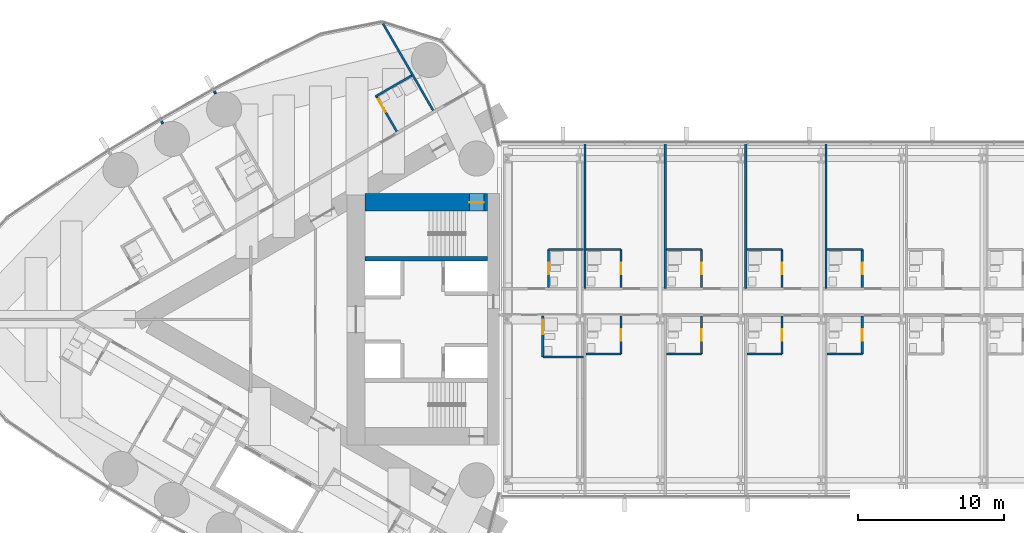
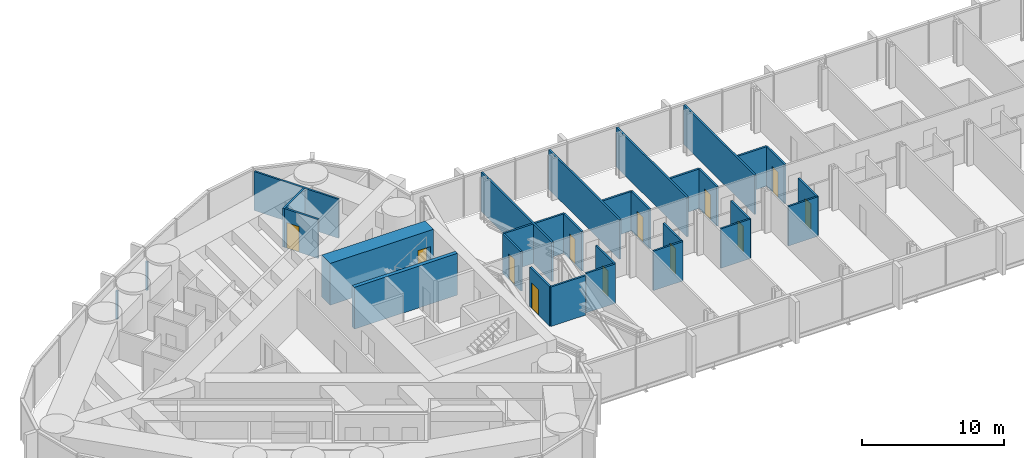
# One storey, part 16 of 23: 31 walls, 12 doors, 12 openings.
"""IFC4 building model written with IfcOpenShell, lengths in metres."""

import ifcopenshell
import ifcopenshell.guid

model = None  # the IFC model being written
_history = None  # IfcOwnerHistory: only IFC2X3 demands one
_inside = {}  # id of a spatial element -> (the spatial element, [elements in it])
_under = {}  # id of a project, library or spatial element -> (it, [spatial elements below it])
_declared = {}  # id of a project -> (the project, [libraries it declares])
_typed = {}  # id of a type object -> (the type object, [elements of that type])
_made_of = {}  # id of a material, layer set ... -> (it, [elements and type objects made of it])


def new_model(schema):
    """Start an empty IFC model of exactly this schema.

    Asked for "IFC4X3", IfcOpenShell would pick the latest addendum, in which some entities
    have other attributes; the version numbers below select the first issue.
    IFC2X3 requires an IfcOwnerHistory on every rooted entity: one is made here for all.
    """
    global model, _history
    if schema == "IFC4X3":
        model = ifcopenshell.file(schema_version=(4, 3, 0, 0))
    else:
        model = ifcopenshell.file(schema=schema)
    _inside.clear()
    _under.clear()
    _declared.clear()
    _typed.clear()
    _made_of.clear()
    _history = None
    if model.schema == "IFC2X3":
        org = make("IfcOrganization", Name="unknown")
        user = make(
            "IfcPersonAndOrganization",
            ThePerson=make("IfcPerson", FamilyName="unknown"),
            TheOrganization=org,
        )
        app = make(
            "IfcApplication",
            ApplicationDeveloper=org,
            Version="unknown",
            ApplicationFullName="unknown",
            ApplicationIdentifier="unknown",
        )
        _history = make(
            "IfcOwnerHistory",
            OwningUser=user,
            OwningApplication=app,
            ChangeAction="ADDED",
            CreationDate=0,
        )
    return model


def make(cls, **values):
    """One entity of the class cls with the attributes given. An attribute that is None is left unset."""
    return model.create_entity(
        cls, **{name: value for name, value in values.items() if value is not None}
    )


def rooted(cls, **values):
    """An entity with a GlobalId (a new one), such as an element, a storey or a relation."""
    return make(cls, GlobalId=ifcopenshell.guid.new(), OwnerHistory=_history, **values)


def si_unit(unit_type, name, prefix=None):
    """IfcSIUnit, for example si_unit("LENGTHUNIT", "METRE", prefix="MILLI")."""
    return make("IfcSIUnit", UnitType=unit_type, Prefix=prefix, Name=name)


def assignment(units):
    """IfcUnitAssignment: the units of a project."""
    return None if units is None else make("IfcUnitAssignment", Units=units)


def point(xyz):
    """IfcCartesianPoint."""
    return None if xyz is None else make("IfcCartesianPoint", Coordinates=xyz)


def direction(xyz):
    """IfcDirection."""
    return None if xyz is None else make("IfcDirection", DirectionRatios=xyz)


def frame(location, z_axis=None, x_axis=None):
    """IfcAxis2Placement3D, a coordinate frame: its origin and axes. An axis left out is left unset."""
    return make(
        "IfcAxis2Placement3D",
        Location=point(location),
        Axis=direction(z_axis),
        RefDirection=direction(x_axis),
    )


def frame_2d(location, x_axis=None):
    """IfcAxis2Placement2D, a coordinate frame in the plane: its origin and x axis."""
    return make(
        "IfcAxis2Placement2D", Location=point(location), RefDirection=direction(x_axis)
    )


def origin():
    """The frame at (0, 0, 0) with its axes left unset."""
    return frame((0.0, 0.0, 0.0))


def place(relative_to, where):
    """IfcLocalPlacement: puts the frame where relative to a parent placement (None: the world)."""
    return make(
        "IfcLocalPlacement", PlacementRelTo=relative_to, RelativePlacement=where
    )


def context(
    kind, dimensions, precision=None, world=None, true_north=None, identifier=None
):
    """IfcGeometricRepresentationContext, for example the 3D "Model" context."""
    return make(
        "IfcGeometricRepresentationContext",
        ContextIdentifier=identifier,
        ContextType=kind,
        CoordinateSpaceDimension=dimensions,
        Precision=precision,
        WorldCoordinateSystem=world,
        TrueNorth=true_north,
    )


def subcontext(parent, identifier, kind, view, scale=None):
    """IfcGeometricRepresentationSubContext, for example "Body" below "Model"."""
    return make(
        "IfcGeometricRepresentationSubContext",
        ContextIdentifier=identifier,
        ContextType=kind,
        ParentContext=parent,
        TargetScale=scale,
        TargetView=view,
    )


def project(units=None, contexts=None):
    """IfcProject with its units and contexts."""
    return rooted(
        "IfcProject",
        Name="project",
        RepresentationContexts=contexts,
        UnitsInContext=assignment(units),
    )


def spatial(cls, under=None, at=None, **own):
    """A site, building, storey or space (cls), placed at a placement, below another one or the project."""
    s = rooted(cls, ObjectPlacement=at, **own)
    if under is not None:
        _under.setdefault(under.id(), (under, []))[1].append(s)
    return s


def profile(cls, at=None, kind="AREA", **sizes):
    """A parametric profile (cls). Its sizes go by their IFC names, for example OverallWidth=200.0."""
    return make(cls, ProfileType=kind, Position=at, **sizes)


def rectangle(**sizes):
    """IfcRectangleProfileDef."""
    return profile("IfcRectangleProfileDef", **sizes)


def extrude(swept, where, along, depth):
    """IfcExtrudedAreaSolid: the profile swept, set in the frame where, extruded along a direction by depth."""
    return make(
        "IfcExtrudedAreaSolid",
        SweptArea=swept,
        Position=where,
        ExtrudedDirection=direction(along),
        Depth=depth,
    )


def shape(context_of_items, identifier, shape_type, items):
    """IfcShapeRepresentation: the items that make up one representation, for example the "Body"."""
    return make(
        "IfcShapeRepresentation",
        ContextOfItems=context_of_items,
        RepresentationIdentifier=identifier,
        RepresentationType=shape_type,
        Items=items,
    )


def material(Name=None, Category=None):
    """IfcMaterial."""
    return make("IfcMaterial", Name=Name, Category=Category)


def layer(
    of_material, thickness, ventilated=None, Name=None, Category=None, Priority=None
):
    """IfcMaterialLayer: one layer of a wall or slab, of a material (None: an air gap)."""
    return make(
        "IfcMaterialLayer",
        Material=of_material,
        LayerThickness=thickness,
        IsVentilated=ventilated,
        Name=Name,
        Category=Category,
        Priority=Priority,
    )


def layer_set(layers, Name=None):
    """IfcMaterialLayerSet."""
    return make("IfcMaterialLayerSet", MaterialLayers=layers, LayerSetName=Name)


def made_of(thing, what):
    """Note that an element or type object is made of a material, layer set ...; save() writes the relation."""
    if what is not None:
        _made_of.setdefault(what.id(), (what, []))[1].append(thing)
    return thing


def type_object(cls, material=None, **own):
    """A type object (cls), such as IfcWallType, which elements share."""
    return made_of(rooted(cls, **own), material)


def element(
    cls,
    number,
    at=None,
    inside=None,
    cuts=None,
    type_object=None,
    material=None,
    context=None,
    identifier="Body",
    shape_type=None,
    held_by="IfcProductDefinitionShape",
    body=None,
    shapes=None,
    **own,
):
    """One element of the class cls, such as IfcWall. Its Tag is "e" and its number.

    at: its placement. inside: the storey or other place that contains it. cuts: it is an
    opening in that element (IfcRelVoidsElement). A single representation is given by context,
    identifier, shape_type and body (its items); several are given by shapes. held_by: the class
    of the entity that holds the representations. save() writes the other relations.
    """
    e = rooted(cls, Tag="e%d" % number, ObjectPlacement=at, **own)
    if body is not None:
        shapes = [shape(context, identifier, shape_type, body)]
    if shapes is not None:
        e.Representation = make(held_by, Representations=shapes)
    if inside is not None:
        _inside.setdefault(inside.id(), (inside, []))[1].append(e)
    if cuts is not None:
        rooted(
            "IfcRelVoidsElement", RelatingBuildingElement=cuts, RelatedOpeningElement=e
        )
    if type_object is not None:
        _typed.setdefault(type_object.id(), (type_object, []))[1].append(e)
    return made_of(e, material)


def fill(opening, filler):
    """IfcRelFillsElement: the door or window that sits in an opening."""
    return rooted(
        "IfcRelFillsElement",
        RelatingOpeningElement=opening,
        RelatedBuildingElement=filler,
    )


def aggregate(whole, parts):
    """IfcRelAggregates: a whole, such as a stair, and the parts it consists of."""
    return rooted("IfcRelAggregates", RelatingObject=whole, RelatedObjects=parts)


def save(model, path):
    """Write the relations noted so far, then the file.

    IfcRelAggregates (storeys below a building ...), IfcRelContainedInSpatialStructure (elements
    in a storey), IfcRelDefinesByType, IfcRelAssociatesMaterial and IfcRelDeclares: one each for
    every whole, place, type object, material and project.
    """
    for whole, parts in _under.values():
        aggregate(whole, parts)
    for where, things in _inside.values():
        rooted(
            "IfcRelContainedInSpatialStructure",
            RelatedElements=things,
            RelatingStructure=where,
        )
    for kind, things in _typed.values():
        rooted("IfcRelDefinesByType", RelatedObjects=things, RelatingType=kind)
    for what, things in _made_of.values():
        rooted("IfcRelAssociatesMaterial", RelatedObjects=things, RelatingMaterial=what)
    for by, libraries in _declared.values():
        rooted("IfcRelDeclares", RelatingContext=by, RelatedDefinitions=libraries)
    model.write(path)


model = new_model("IFC4")

# Units and contexts
model_context = context("Model", 3, precision=1e-05, world=origin(), true_north=direction((0.0, 1.0)))
body_context = subcontext(model_context, "Body", "Model", "MODEL_VIEW")
ifc_project = project(units=[si_unit("LENGTHUNIT", "METRE"), si_unit("AREAUNIT", "SQUARE_METRE"), si_unit("VOLUMEUNIT", "CUBIC_METRE"), si_unit("PLANEANGLEUNIT", "RADIAN"), si_unit("MASSUNIT", "GRAM", prefix="KILO")], contexts=[model_context])

# Site, building, storey
site_placement = place(None, origin())
site = spatial("IfcSite", under=ifc_project, at=site_placement, CompositionType="ELEMENT")
building_placement = place(site_placement, origin())
building = spatial("IfcBuilding", under=site, at=building_placement, Name="Lancet Gate Hotel", CompositionType="ELEMENT")
storey_placement = place(building_placement, frame((0.0, 0.0, 218.89990234375)))
storey = spatial("IfcBuildingStorey", under=building, at=storey_placement, Name="L58", CompositionType="ELEMENT", Elevation=218.89990234375)

# Wall
ifc_material_1 = material(Name="Moisture resistant board partition")
ifc_layer_1 = layer(ifc_material_1, 0.14990234375)
ifc_layer_set_1 = layer_set([ifc_layer_1], Name="Bathroom wall 150")
wall_type_1 = type_object("IfcWallType", Name="Bathroom wall 150", PredefinedType="PARTITIONING", material=ifc_layer_set_1)
wall_1_placement = place(storey_placement, frame((-33.486572265625, 16.6748046875, 0.0), z_axis=(0.0, 0.0, 1.0), x_axis=(-0.866039941686, -0.499974818771, 0.0)))
element("IfcWall", 1, at=wall_1_placement, inside=storey, type_object=wall_type_1, Name="T1 bathroom wall 150 L58", PredefinedType="PARTITIONING", context=body_context, shape_type="SweptSolid", body=[
    extrude(rectangle(XDim=2.875244140625, YDim=0.14990234375, at=frame_2d((1.4375, 0.0))), origin(), (0.0, 0.0, 1.0), 3.35009765625),
])

# Wall, opening, door
wall_2_placement = place(storey_placement, frame((-34.511474609375, 12.849853515625, 0.0), z_axis=(0.0, 0.0, 1.0), x_axis=(-0.500011755427, 0.866018616679, 0.0)))
wall_2 = element("IfcWall", 2, at=wall_2_placement, inside=storey, type_object=wall_type_1, Name="T1 bathroom wall 150 L58", PredefinedType="PARTITIONING", context=body_context, shape_type="SweptSolid", body=[
    extrude(rectangle(XDim=2.80029296875, YDim=0.14990234375, at=frame_2d((1.400146484375, 0.0))), origin(), (0.0, 0.0, 1.0), 3.35009765625),
])
opening_1_placement = place(wall_2_placement, frame((1.550048828125, 0.0, 0.0)))
opening_1 = element("IfcOpeningElement", 3, at=opening_1_placement, cuts=wall_2, Name="Opening 5802-B", PredefinedType="OPENING", context=body_context, shape_type="SweptSolid", body=[
    extrude(rectangle(XDim=1.0, YDim=2.199951171875, at=frame_2d((0.5, 1.10009765625))), frame((0.0, 0.0849609375, 0.0), z_axis=(0.0, -1.0, 0.0), x_axis=(1.0, 0.0, 0.0)), (0.0, 0.0, 1.0), 0.169921875),
])
ifc_material_2 = material(Name="Timber door set", Category="wood")
door_type_1 = type_object("IfcDoorType", Name="Accessible en-suite door 1000", OperationType="SINGLE_SWING_RIGHT", PredefinedType="DOOR", material=ifc_material_2)
door_1_placement = place(opening_1_placement, origin())
door_1 = element("IfcDoor", 4, at=door_1_placement, inside=storey, type_object=door_type_1, Name="5802-B", OperationType="SINGLE_SWING_RIGHT", OverallHeight=2.199951171875, OverallWidth=1.0, PredefinedType="DOOR", context=body_context, shape_type="SweptSolid", body=[
    extrude(rectangle(XDim=1.0, YDim=2.199951171875, at=frame_2d((0.5, 1.10009765625))), frame((0.0, 0.02490234375, 0.0), z_axis=(0.0, -1.0, 0.0), x_axis=(1.0, 0.0, 0.0)), (0.0, 0.0, 1.0), 0.050048828125),
])
fill(opening_1, door_1)

# Wall
wall_3_placement = place(storey_placement, frame((-24.52490234375, -2.574951171875, 0.0), z_axis=(0.0, 0.0, 1.0), x_axis=(1.0, 0.0, 0.0)))
element("IfcWall", 5, at=wall_3_placement, inside=storey, type_object=wall_type_1, Name="Bridge block bathroom wall 150 L58", PredefinedType="PARTITIONING", context=body_context, shape_type="SweptSolid", body=[
    extrude(rectangle(XDim=2.7998046875, YDim=0.14990234375, at=frame_2d((1.39990234375, 0.0))), origin(), (0.0, 0.0, 1.0), 3.400146484375),
])

# Wall, opening, door
wall_4_placement = place(storey_placement, frame((-24.52490234375, -2.574951171875, 0.0), z_axis=(0.0, 0.0, 1.0), x_axis=(0.0, 1.0, 0.0)))
wall_4 = element("IfcWall", 6, at=wall_4_placement, inside=storey, type_object=wall_type_1, Name="Bridge block bathroom wall 150 L58", PredefinedType="PARTITIONING", context=body_context, shape_type="SweptSolid", body=[
    extrude(rectangle(XDim=2.800048828125, YDim=0.14990234375, at=frame_2d((1.39990234375, 0.0))), origin(), (0.0, 0.0, 1.0), 3.400146484375),
])
opening_2_placement = place(wall_4_placement, frame((1.550048828125, 0.0, 0.0)))
opening_2 = element("IfcOpeningElement", 7, at=opening_2_placement, cuts=wall_4, Name="Opening B5801-B", PredefinedType="OPENING", context=body_context, shape_type="SweptSolid", body=[
    extrude(rectangle(XDim=1.0, YDim=2.199951171875, at=frame_2d((0.5, 1.10009765625))), frame((0.0, 0.0849609375, 0.0), z_axis=(0.0, -1.0, 0.0), x_axis=(1.0, 0.0, 0.0)), (0.0, 0.0, 1.0), 0.169921875),
])
door_2_placement = place(opening_2_placement, origin())
door_2 = element("IfcDoor", 8, at=door_2_placement, inside=storey, type_object=door_type_1, Name="B5801-B", OperationType="SINGLE_SWING_RIGHT", OverallHeight=2.199951171875, OverallWidth=1.0, PredefinedType="DOOR", context=body_context, shape_type="SweptSolid", body=[
    extrude(rectangle(XDim=1.0, YDim=2.199951171875, at=frame_2d((0.5, 1.10009765625))), frame((0.0, 0.02490234375, 0.0), z_axis=(0.0, -1.0, 0.0), x_axis=(1.0, 0.0, 0.0)), (0.0, 0.0, 1.0), 0.050048828125),
])
fill(opening_2, door_2)

# Wall
wall_5_placement = place(storey_placement, frame((-21.574951171875, -2.375, 0.0), z_axis=(0.0, 0.0, 1.0), x_axis=(1.0, 0.0, 0.0)))
element("IfcWall", 9, at=wall_5_placement, inside=storey, type_object=wall_type_1, Name="Bridge block bathroom wall 150 L58", PredefinedType="PARTITIONING", context=body_context, shape_type="SweptSolid", body=[
    extrude(rectangle(XDim=2.39990234375, YDim=0.14990234375, at=frame_2d((1.199951171875, 0.0))), origin(), (0.0, 0.0, 1.0), 3.400146484375),
])

# Wall, opening, door
wall_6_placement = place(storey_placement, frame((-19.175048828125, -2.375, 0.0), z_axis=(0.0, 0.0, 1.0), x_axis=(0.0, 1.0, 0.0)))
wall_6 = element("IfcWall", 10, at=wall_6_placement, inside=storey, type_object=wall_type_1, Name="Bridge block bathroom wall 150 L58", PredefinedType="PARTITIONING", context=body_context, shape_type="SweptSolid", body=[
    extrude(rectangle(XDim=2.60009765625, YDim=0.14990234375, at=frame_2d((1.300048828125, 0.0))), origin(), (0.0, 0.0, 1.0), 3.400146484375),
])
opening_3_placement = place(wall_6_placement, frame((0.89990234375, 0.0, 0.0)))
opening_3 = element("IfcOpeningElement", 11, at=opening_3_placement, cuts=wall_6, Name="Opening B5802-B", PredefinedType="OPENING", context=body_context, shape_type="SweptSolid", body=[
    extrude(rectangle(XDim=0.800048828125, YDim=2.199951171875, at=frame_2d((0.39990234375, 1.10009765625))), frame((0.0, 0.0849609375, 0.0), z_axis=(0.0, -1.0, 0.0), x_axis=(1.0, 0.0, 0.0)), (0.0, 0.0, 1.0), 0.169921875),
])
ifc_material_3 = material(Name="Timber door set", Category="wood")
door_type_2 = type_object("IfcDoorType", Name="Bathroom door 800", OperationType="SINGLE_SWING_RIGHT", PredefinedType="DOOR", material=ifc_material_3)
door_3_placement = place(opening_3_placement, origin())
door_3 = element("IfcDoor", 12, at=door_3_placement, inside=storey, type_object=door_type_2, Name="B5802-B", OperationType="SINGLE_SWING_RIGHT", OverallHeight=2.199951171875, OverallWidth=0.800048828125, PredefinedType="DOOR", context=body_context, shape_type="SweptSolid", body=[
    extrude(rectangle(XDim=0.800048828125, YDim=2.199951171875, at=frame_2d((0.39990234375, 1.10009765625))), frame((0.0, 0.02490234375, 0.0), z_axis=(0.0, -1.0, 0.0), x_axis=(1.0, 0.0, 0.0)), (0.0, 0.0, 1.0), 0.050048828125),
])
fill(opening_3, door_3)

# Wall
wall_7_placement = place(storey_placement, frame((-16.074951171875, -2.375, 0.0), z_axis=(0.0, 0.0, 1.0), x_axis=(1.0, 0.0, 0.0)))
element("IfcWall", 13, at=wall_7_placement, inside=storey, type_object=wall_type_1, Name="Bridge block bathroom wall 150 L58", PredefinedType="PARTITIONING", context=body_context, shape_type="SweptSolid", body=[
    extrude(rectangle(XDim=2.39990234375, YDim=0.14990234375, at=frame_2d((1.199951171875, 0.0))), origin(), (0.0, 0.0, 1.0), 3.400146484375),
])

# Wall, opening, door
wall_8_placement = place(storey_placement, frame((-13.675048828125, -2.375, 0.0), z_axis=(0.0, 0.0, 1.0), x_axis=(0.0, 1.0, 0.0)))
wall_8 = element("IfcWall", 14, at=wall_8_placement, inside=storey, type_object=wall_type_1, Name="Bridge block bathroom wall 150 L58", PredefinedType="PARTITIONING", context=body_context, shape_type="SweptSolid", body=[
    extrude(rectangle(XDim=2.60009765625, YDim=0.14990234375, at=frame_2d((1.300048828125, 0.0))), origin(), (0.0, 0.0, 1.0), 3.400146484375),
])
opening_4_placement = place(wall_8_placement, frame((0.89990234375, 0.0, 0.0)))
opening_4 = element("IfcOpeningElement", 15, at=opening_4_placement, cuts=wall_8, Name="Opening B5803-B", PredefinedType="OPENING", context=body_context, shape_type="SweptSolid", body=[
    extrude(rectangle(XDim=0.800048828125, YDim=2.199951171875, at=frame_2d((0.39990234375, 1.10009765625))), frame((0.0, 0.0849609375, 0.0), z_axis=(0.0, -1.0, 0.0), x_axis=(1.0, 0.0, 0.0)), (0.0, 0.0, 1.0), 0.169921875),
])
door_4_placement = place(opening_4_placement, origin())
door_4 = element("IfcDoor", 16, at=door_4_placement, inside=storey, type_object=door_type_2, Name="B5803-B", OperationType="SINGLE_SWING_RIGHT", OverallHeight=2.199951171875, OverallWidth=0.800048828125, PredefinedType="DOOR", context=body_context, shape_type="SweptSolid", body=[
    extrude(rectangle(XDim=0.800048828125, YDim=2.199951171875, at=frame_2d((0.39990234375, 1.10009765625))), frame((0.0, 0.02490234375, 0.0), z_axis=(0.0, -1.0, 0.0), x_axis=(1.0, 0.0, 0.0)), (0.0, 0.0, 1.0), 0.050048828125),
])
fill(opening_4, door_4)

# Wall
wall_9_placement = place(storey_placement, frame((-10.574951171875, -2.375, 0.0), z_axis=(0.0, 0.0, 1.0), x_axis=(1.0, 0.0, 0.0)))
element("IfcWall", 17, at=wall_9_placement, inside=storey, type_object=wall_type_1, Name="Bridge block bathroom wall 150 L58", PredefinedType="PARTITIONING", context=body_context, shape_type="SweptSolid", body=[
    extrude(rectangle(XDim=2.39990234375, YDim=0.14990234375, at=frame_2d((1.199951171875, 0.0))), origin(), (0.0, 0.0, 1.0), 3.400146484375),
])

# Wall, opening, door
wall_10_placement = place(storey_placement, frame((-8.175048828125, -2.375, 0.0), z_axis=(0.0, 0.0, 1.0), x_axis=(0.0, 1.0, 0.0)))
wall_10 = element("IfcWall", 18, at=wall_10_placement, inside=storey, type_object=wall_type_1, Name="Bridge block bathroom wall 150 L58", PredefinedType="PARTITIONING", context=body_context, shape_type="SweptSolid", body=[
    extrude(rectangle(XDim=2.60009765625, YDim=0.14990234375, at=frame_2d((1.300048828125, 0.0))), origin(), (0.0, 0.0, 1.0), 3.400146484375),
])
opening_5_placement = place(wall_10_placement, frame((0.89990234375, 0.0, 0.0)))
opening_5 = element("IfcOpeningElement", 19, at=opening_5_placement, cuts=wall_10, Name="Opening B5804-B", PredefinedType="OPENING", context=body_context, shape_type="SweptSolid", body=[
    extrude(rectangle(XDim=0.800048828125, YDim=2.199951171875, at=frame_2d((0.39990234375, 1.10009765625))), frame((0.0, 0.0849609375, 0.0), z_axis=(0.0, -1.0, 0.0), x_axis=(1.0, 0.0, 0.0)), (0.0, 0.0, 1.0), 0.169921875),
])
door_5_placement = place(opening_5_placement, origin())
door_5 = element("IfcDoor", 20, at=door_5_placement, inside=storey, type_object=door_type_2, Name="B5804-B", OperationType="SINGLE_SWING_RIGHT", OverallHeight=2.199951171875, OverallWidth=0.800048828125, PredefinedType="DOOR", context=body_context, shape_type="SweptSolid", body=[
    extrude(rectangle(XDim=0.800048828125, YDim=2.199951171875, at=frame_2d((0.39990234375, 1.10009765625))), frame((0.0, 0.02490234375, 0.0), z_axis=(0.0, -1.0, 0.0), x_axis=(1.0, 0.0, 0.0)), (0.0, 0.0, 1.0), 0.050048828125),
])
fill(opening_5, door_5)

# Wall
wall_11_placement = place(storey_placement, frame((-5.074951171875, -2.375, 0.0), z_axis=(0.0, 0.0, 1.0), x_axis=(1.0, 0.0, 0.0)))
element("IfcWall", 21, at=wall_11_placement, inside=storey, type_object=wall_type_1, Name="Bridge block bathroom wall 150 L58", PredefinedType="PARTITIONING", context=body_context, shape_type="SweptSolid", body=[
    extrude(rectangle(XDim=2.39990234375, YDim=0.14990234375, at=frame_2d((1.199951171875, 0.0))), origin(), (0.0, 0.0, 1.0), 3.400146484375),
])

# Wall, opening, door
wall_12_placement = place(storey_placement, frame((-2.675048828125, -2.375, 0.0), z_axis=(0.0, 0.0, 1.0), x_axis=(0.0, 1.0, 0.0)))
wall_12 = element("IfcWall", 22, at=wall_12_placement, inside=storey, type_object=wall_type_1, Name="Bridge block bathroom wall 150 L58", PredefinedType="PARTITIONING", context=body_context, shape_type="SweptSolid", body=[
    extrude(rectangle(XDim=2.60009765625, YDim=0.14990234375, at=frame_2d((1.300048828125, 0.0))), origin(), (0.0, 0.0, 1.0), 3.400146484375),
])
opening_6_placement = place(wall_12_placement, frame((0.89990234375, 0.0, 0.0)))
opening_6 = element("IfcOpeningElement", 23, at=opening_6_placement, cuts=wall_12, Name="Opening B5805-B", PredefinedType="OPENING", context=body_context, shape_type="SweptSolid", body=[
    extrude(rectangle(XDim=0.800048828125, YDim=2.199951171875, at=frame_2d((0.39990234375, 1.10009765625))), frame((0.0, 0.0849609375, 0.0), z_axis=(0.0, -1.0, 0.0), x_axis=(1.0, 0.0, 0.0)), (0.0, 0.0, 1.0), 0.169921875),
])
door_6_placement = place(opening_6_placement, origin())
door_6 = element("IfcDoor", 24, at=door_6_placement, inside=storey, type_object=door_type_2, Name="B5805-B", OperationType="SINGLE_SWING_RIGHT", OverallHeight=2.199951171875, OverallWidth=0.800048828125, PredefinedType="DOOR", context=body_context, shape_type="SweptSolid", body=[
    extrude(rectangle(XDim=0.800048828125, YDim=2.199951171875, at=frame_2d((0.39990234375, 1.10009765625))), frame((0.0, 0.02490234375, 0.0), z_axis=(0.0, -1.0, 0.0), x_axis=(1.0, 0.0, 0.0)), (0.0, 0.0, 1.0), 0.050048828125),
])
fill(opening_6, door_6)

# Wall
wall_13_placement = place(storey_placement, frame((-24.125, 4.77490234375, 0.0), z_axis=(0.0, 0.0, 1.0), x_axis=(1.0, 0.0, 0.0)))
element("IfcWall", 25, at=wall_13_placement, inside=storey, type_object=wall_type_1, Name="Bridge block bathroom wall 150 L58", PredefinedType="PARTITIONING", context=body_context, shape_type="SweptSolid", body=[
    extrude(rectangle(XDim=2.39990234375, YDim=0.14990234375, at=frame_2d((1.199951171875, 0.0))), origin(), (0.0, 0.0, 1.0), 3.400146484375),
])

# Wall, opening, door
wall_14_placement = place(storey_placement, frame((-24.125, 2.175048828125, 0.0), z_axis=(0.0, 0.0, 1.0), x_axis=(0.0, 1.0, 0.0)))
wall_14 = element("IfcWall", 26, at=wall_14_placement, inside=storey, type_object=wall_type_1, Name="Bridge block bathroom wall 150 L58", PredefinedType="PARTITIONING", context=body_context, shape_type="SweptSolid", body=[
    extrude(rectangle(XDim=2.599853515625, YDim=0.14990234375, at=frame_2d((1.2998046875, 0.0))), origin(), (0.0, 0.0, 1.0), 3.400146484375),
])
opening_7_placement = place(wall_14_placement, frame((0.89990234375, 0.0, 0.0)))
opening_7 = element("IfcOpeningElement", 27, at=opening_7_placement, cuts=wall_14, Name="Opening B5811-B", PredefinedType="OPENING", context=body_context, shape_type="SweptSolid", body=[
    extrude(rectangle(XDim=0.800048828125, YDim=2.199951171875, at=frame_2d((0.39990234375, 1.10009765625))), frame((0.0, 0.0849609375, 0.0), z_axis=(0.0, -1.0, 0.0), x_axis=(1.0, 0.0, 0.0)), (0.0, 0.0, 1.0), 0.169921875),
])
door_7_placement = place(opening_7_placement, origin())
door_7 = element("IfcDoor", 28, at=door_7_placement, inside=storey, type_object=door_type_2, Name="B5811-B", OperationType="SINGLE_SWING_RIGHT", OverallHeight=2.199951171875, OverallWidth=0.800048828125, PredefinedType="DOOR", context=body_context, shape_type="SweptSolid", body=[
    extrude(rectangle(XDim=0.800048828125, YDim=2.199951171875, at=frame_2d((0.39990234375, 1.10009765625))), frame((0.0, 0.02490234375, 0.0), z_axis=(0.0, -1.0, 0.0), x_axis=(1.0, 0.0, 0.0)), (0.0, 0.0, 1.0), 0.050048828125),
])
fill(opening_7, door_7)

# Wall
wall_15_placement = place(storey_placement, frame((-21.574951171875, 4.77490234375, 0.0), z_axis=(0.0, 0.0, 1.0), x_axis=(1.0, 0.0, 0.0)))
element("IfcWall", 29, at=wall_15_placement, inside=storey, type_object=wall_type_1, Name="Bridge block bathroom wall 150 L58", PredefinedType="PARTITIONING", context=body_context, shape_type="SweptSolid", body=[
    extrude(rectangle(XDim=2.39990234375, YDim=0.14990234375, at=frame_2d((1.199951171875, 0.0))), origin(), (0.0, 0.0, 1.0), 3.400146484375),
])

# Wall, opening, door
wall_16_placement = place(storey_placement, frame((-19.175048828125, 2.175048828125, 0.0), z_axis=(0.0, 0.0, 1.0), x_axis=(0.0, 1.0, 0.0)))
wall_16 = element("IfcWall", 30, at=wall_16_placement, inside=storey, type_object=wall_type_1, Name="Bridge block bathroom wall 150 L58", PredefinedType="PARTITIONING", context=body_context, shape_type="SweptSolid", body=[
    extrude(rectangle(XDim=2.599853515625, YDim=0.14990234375, at=frame_2d((1.2998046875, 0.0))), origin(), (0.0, 0.0, 1.0), 3.400146484375),
])
opening_8_placement = place(wall_16_placement, frame((0.89990234375, 0.0, 0.0)))
opening_8 = element("IfcOpeningElement", 31, at=opening_8_placement, cuts=wall_16, Name="Opening B5812-B", PredefinedType="OPENING", context=body_context, shape_type="SweptSolid", body=[
    extrude(rectangle(XDim=0.800048828125, YDim=2.199951171875, at=frame_2d((0.39990234375, 1.10009765625))), frame((0.0, 0.0849609375, 0.0), z_axis=(0.0, -1.0, 0.0), x_axis=(1.0, 0.0, 0.0)), (0.0, 0.0, 1.0), 0.169921875),
])
door_8_placement = place(opening_8_placement, origin())
door_8 = element("IfcDoor", 32, at=door_8_placement, inside=storey, type_object=door_type_2, Name="B5812-B", OperationType="SINGLE_SWING_RIGHT", OverallHeight=2.199951171875, OverallWidth=0.800048828125, PredefinedType="DOOR", context=body_context, shape_type="SweptSolid", body=[
    extrude(rectangle(XDim=0.800048828125, YDim=2.199951171875, at=frame_2d((0.39990234375, 1.10009765625))), frame((0.0, 0.02490234375, 0.0), z_axis=(0.0, -1.0, 0.0), x_axis=(1.0, 0.0, 0.0)), (0.0, 0.0, 1.0), 0.050048828125),
])
fill(opening_8, door_8)

# Wall
wall_17_placement = place(storey_placement, frame((-16.074951171875, 4.77490234375, 0.0), z_axis=(0.0, 0.0, 1.0), x_axis=(1.0, 0.0, 0.0)))
element("IfcWall", 33, at=wall_17_placement, inside=storey, type_object=wall_type_1, Name="Bridge block bathroom wall 150 L58", PredefinedType="PARTITIONING", context=body_context, shape_type="SweptSolid", body=[
    extrude(rectangle(XDim=2.39990234375, YDim=0.14990234375, at=frame_2d((1.199951171875, 0.0))), origin(), (0.0, 0.0, 1.0), 3.400146484375),
])

# Wall, opening, door
wall_18_placement = place(storey_placement, frame((-13.675048828125, 2.175048828125, 0.0), z_axis=(0.0, 0.0, 1.0), x_axis=(0.0, 1.0, 0.0)))
wall_18 = element("IfcWall", 34, at=wall_18_placement, inside=storey, type_object=wall_type_1, Name="Bridge block bathroom wall 150 L58", PredefinedType="PARTITIONING", context=body_context, shape_type="SweptSolid", body=[
    extrude(rectangle(XDim=2.599853515625, YDim=0.14990234375, at=frame_2d((1.2998046875, 0.0))), origin(), (0.0, 0.0, 1.0), 3.400146484375),
])
opening_9_placement = place(wall_18_placement, frame((0.89990234375, 0.0, 0.0)))
opening_9 = element("IfcOpeningElement", 35, at=opening_9_placement, cuts=wall_18, Name="Opening B5813-B", PredefinedType="OPENING", context=body_context, shape_type="SweptSolid", body=[
    extrude(rectangle(XDim=0.800048828125, YDim=2.199951171875, at=frame_2d((0.39990234375, 1.10009765625))), frame((0.0, 0.0849609375, 0.0), z_axis=(0.0, -1.0, 0.0), x_axis=(1.0, 0.0, 0.0)), (0.0, 0.0, 1.0), 0.169921875),
])
door_9_placement = place(opening_9_placement, origin())
door_9 = element("IfcDoor", 36, at=door_9_placement, inside=storey, type_object=door_type_2, Name="B5813-B", OperationType="SINGLE_SWING_RIGHT", OverallHeight=2.199951171875, OverallWidth=0.800048828125, PredefinedType="DOOR", context=body_context, shape_type="SweptSolid", body=[
    extrude(rectangle(XDim=0.800048828125, YDim=2.199951171875, at=frame_2d((0.39990234375, 1.10009765625))), frame((0.0, 0.02490234375, 0.0), z_axis=(0.0, -1.0, 0.0), x_axis=(1.0, 0.0, 0.0)), (0.0, 0.0, 1.0), 0.050048828125),
])
fill(opening_9, door_9)

# Wall
wall_19_placement = place(storey_placement, frame((-10.574951171875, 4.77490234375, 0.0), z_axis=(0.0, 0.0, 1.0), x_axis=(1.0, 0.0, 0.0)))
element("IfcWall", 37, at=wall_19_placement, inside=storey, type_object=wall_type_1, Name="Bridge block bathroom wall 150 L58", PredefinedType="PARTITIONING", context=body_context, shape_type="SweptSolid", body=[
    extrude(rectangle(XDim=2.39990234375, YDim=0.14990234375, at=frame_2d((1.199951171875, 0.0))), origin(), (0.0, 0.0, 1.0), 3.400146484375),
])

# Wall, opening, door
wall_20_placement = place(storey_placement, frame((-8.175048828125, 2.175048828125, 0.0), z_axis=(0.0, 0.0, 1.0), x_axis=(0.0, 1.0, 0.0)))
wall_20 = element("IfcWall", 38, at=wall_20_placement, inside=storey, type_object=wall_type_1, Name="Bridge block bathroom wall 150 L58", PredefinedType="PARTITIONING", context=body_context, shape_type="SweptSolid", body=[
    extrude(rectangle(XDim=2.599853515625, YDim=0.14990234375, at=frame_2d((1.2998046875, 0.0))), origin(), (0.0, 0.0, 1.0), 3.400146484375),
])
opening_10_placement = place(wall_20_placement, frame((0.89990234375, 0.0, 0.0)))
opening_10 = element("IfcOpeningElement", 39, at=opening_10_placement, cuts=wall_20, Name="Opening B5814-B", PredefinedType="OPENING", context=body_context, shape_type="SweptSolid", body=[
    extrude(rectangle(XDim=0.800048828125, YDim=2.199951171875, at=frame_2d((0.39990234375, 1.10009765625))), frame((0.0, 0.0849609375, 0.0), z_axis=(0.0, -1.0, 0.0), x_axis=(1.0, 0.0, 0.0)), (0.0, 0.0, 1.0), 0.169921875),
])
door_10_placement = place(opening_10_placement, origin())
door_10 = element("IfcDoor", 40, at=door_10_placement, inside=storey, type_object=door_type_2, Name="B5814-B", OperationType="SINGLE_SWING_RIGHT", OverallHeight=2.199951171875, OverallWidth=0.800048828125, PredefinedType="DOOR", context=body_context, shape_type="SweptSolid", body=[
    extrude(rectangle(XDim=0.800048828125, YDim=2.199951171875, at=frame_2d((0.39990234375, 1.10009765625))), frame((0.0, 0.02490234375, 0.0), z_axis=(0.0, -1.0, 0.0), x_axis=(1.0, 0.0, 0.0)), (0.0, 0.0, 1.0), 0.050048828125),
])
fill(opening_10, door_10)

# Wall
wall_21_placement = place(storey_placement, frame((-5.074951171875, 4.77490234375, 0.0), z_axis=(0.0, 0.0, 1.0), x_axis=(1.0, 0.0, 0.0)))
element("IfcWall", 41, at=wall_21_placement, inside=storey, type_object=wall_type_1, Name="Bridge block bathroom wall 150 L58", PredefinedType="PARTITIONING", context=body_context, shape_type="SweptSolid", body=[
    extrude(rectangle(XDim=2.39990234375, YDim=0.14990234375, at=frame_2d((1.199951171875, 0.0))), origin(), (0.0, 0.0, 1.0), 3.400146484375),
])

# Wall, opening, door
wall_22_placement = place(storey_placement, frame((-2.675048828125, 2.175048828125, 0.0), z_axis=(0.0, 0.0, 1.0), x_axis=(0.0, 1.0, 0.0)))
wall_22 = element("IfcWall", 42, at=wall_22_placement, inside=storey, type_object=wall_type_1, Name="Bridge block bathroom wall 150 L58", PredefinedType="PARTITIONING", context=body_context, shape_type="SweptSolid", body=[
    extrude(rectangle(XDim=2.599853515625, YDim=0.14990234375, at=frame_2d((1.2998046875, 0.0))), origin(), (0.0, 0.0, 1.0), 3.400146484375),
])
opening_11_placement = place(wall_22_placement, frame((0.89990234375, 0.0, 0.0)))
opening_11 = element("IfcOpeningElement", 43, at=opening_11_placement, cuts=wall_22, Name="Opening B5815-B", PredefinedType="OPENING", context=body_context, shape_type="SweptSolid", body=[
    extrude(rectangle(XDim=0.800048828125, YDim=2.199951171875, at=frame_2d((0.39990234375, 1.10009765625))), frame((0.0, 0.0849609375, 0.0), z_axis=(0.0, -1.0, 0.0), x_axis=(1.0, 0.0, 0.0)), (0.0, 0.0, 1.0), 0.169921875),
])
door_11_placement = place(opening_11_placement, origin())
door_11 = element("IfcDoor", 44, at=door_11_placement, inside=storey, type_object=door_type_2, Name="B5815-B", OperationType="SINGLE_SWING_RIGHT", OverallHeight=2.199951171875, OverallWidth=0.800048828125, PredefinedType="DOOR", context=body_context, shape_type="SweptSolid", body=[
    extrude(rectangle(XDim=0.800048828125, YDim=2.199951171875, at=frame_2d((0.39990234375, 1.10009765625))), frame((0.0, 0.02490234375, 0.0), z_axis=(0.0, -1.0, 0.0), x_axis=(1.0, 0.0, 0.0)), (0.0, 0.0, 1.0), 0.050048828125),
])
fill(opening_11, door_11)

ifc_material_4 = material(Name="Concrete C70/85", Category="concrete")
ifc_layer_2 = layer(ifc_material_4, 1.199951171875)
ifc_layer_set_2 = layer_set([ifc_layer_2], Name="Core wall 1200")
wall_type_2 = type_object("IfcWallType", Name="Core wall 1200", PredefinedType="SHEAR", material=ifc_layer_set_2)
wall_23_placement = place(storey_placement, frame((-28.300048828125, 8.0, 0.0), z_axis=(0.0, 0.0, 1.0), x_axis=(-1.0, 0.0, 0.0)))
wall_23 = element("IfcWall", 45, at=wall_23_placement, inside=storey, type_object=wall_type_2, Name="T1 core wall side-S L58", PredefinedType="SHEAR", context=body_context, shape_type="SweptSolid", body=[
    extrude(rectangle(XDim=8.39990234375, YDim=1.199951171875, at=frame_2d((4.199951171875, 0.0))), origin(), (0.0, 0.0, 1.0), 3.60009765625),
])
opening_12_placement = place(wall_23_placement, frame((0.25, 0.0, 0.0)))
opening_12 = element("IfcOpeningElement", 46, at=opening_12_placement, cuts=wall_23, Name="Opening T1-L58-ST1", PredefinedType="OPENING", context=body_context, shape_type="SweptSolid", body=[
    extrude(rectangle(XDim=1.0, YDim=2.199951171875, at=frame_2d((0.5, 1.10009765625))), frame((0.0, 0.60986328125, 0.0), z_axis=(0.0, -1.0, 0.0), x_axis=(1.0, 0.0, 0.0)), (0.0, 0.0, 1.0), 1.219970703125),
])
ifc_material_5 = material(Name="Timber door set", Category="wood")
door_type_3 = type_object("IfcDoorType", Name="Stair door 1000", OperationType="SINGLE_SWING_RIGHT", PredefinedType="DOOR", material=ifc_material_5)
door_12_placement = place(opening_12_placement, origin())
door_12 = element("IfcDoor", 47, at=door_12_placement, inside=storey, type_object=door_type_3, Name="T1-L58-ST1", OperationType="SINGLE_SWING_RIGHT", OverallHeight=2.199951171875, OverallWidth=1.0, PredefinedType="DOOR", context=body_context, shape_type="SweptSolid", body=[
    extrude(rectangle(XDim=1.0, YDim=2.199951171875, at=frame_2d((0.5, 1.10009765625))), frame((0.0, 0.02490234375, 0.0), z_axis=(0.0, -1.0, 0.0), x_axis=(1.0, 0.0, 0.0)), (0.0, 0.0, 1.0), 0.050048828125),
])
fill(opening_12, door_12)

# Walls
ifc_material_6 = material(Name="Gypsum board partition")
ifc_layer_3 = layer(ifc_material_6, 0.14990234375)
ifc_layer_set_3 = layer_set([ifc_layer_3], Name="Party wall 150")
wall_type_3 = type_object("IfcWallType", Name="Party wall 150", PredefinedType="PARTITIONING", material=ifc_layer_set_3)
wall_24_placement = place(storey_placement, frame((-32.021728515625, 14.287353515625, 0.0), z_axis=(0.0, 0.0, 1.0), x_axis=(-0.50000019414, 0.866025291697, 0.0)))
element("IfcWall", 48, at=wall_24_placement, inside=storey, type_object=wall_type_3, Name="T1 party wall 150 L58", PredefinedType="PARTITIONING", context=body_context, shape_type="SweptSolid", body=[
    extrude(rectangle(XDim=6.84814453125, YDim=0.14990234375, at=frame_2d((3.424072265625, 0.0))), origin(), (0.0, 0.0, 1.0), 3.35009765625),
])
wall_25_placement = place(storey_placement, frame((-46.89794921875, 15.438720703125, 0.0), z_axis=(0.0, 0.0, 1.0), x_axis=(-0.500232303069, 0.865891241997, 0.0)))
element("IfcWall", 49, at=wall_25_placement, inside=storey, type_object=wall_type_3, Name="T1 party wall 150 L58", PredefinedType="PARTITIONING", context=body_context, shape_type="SweptSolid", body=[
    extrude(rectangle(XDim=0.1796875, YDim=0.14990234375, at=frame_2d((0.08984375, 0.0))), origin(), (0.0, 0.0, 1.0), 2.4501953125),
])
wall_26_placement = place(storey_placement, frame((-50.507568359375, 13.392333984375, 0.0), z_axis=(0.0, 0.0, 1.0), x_axis=(-0.499644091975, 0.866230789891, 0.0)))
element("IfcWall", 50, at=wall_26_placement, inside=storey, type_object=wall_type_3, Name="T1 party wall 150 L58", PredefinedType="PARTITIONING", context=body_context, shape_type="SweptSolid", body=[
    extrude(rectangle(XDim=0.179931640625, YDim=0.14990234375, at=frame_2d((0.08984375, 0.0))), origin(), (0.0, 0.0, 1.0), 2.4501953125),
])
for number, where, z_axis, x_axis, name in (
    (51, (-21.64990234375, 2.10009765625, 0.0), (0.0, 0.0, 1.0), (0.0, 1.0, 0.0), "Bridge block party wall 150 L58"),
    (52, (-16.14990234375, 2.10009765625, 0.0), (0.0, 0.0, 1.0), (0.0, 1.0, 0.0), "Bridge block party wall 150 L58"),
    (53, (-10.64990234375, 2.10009765625, 0.0), (0.0, 0.0, 1.0), (0.0, 1.0, 0.0), "Bridge block party wall 150 L58"),
    (54, (-5.14990234375, 2.10009765625, 0.0), (0.0, 0.0, 1.0), (0.0, 1.0, 0.0), "Bridge block party wall 150 L58"),
):
    element("IfcWall", number, at=place(storey_placement, frame(where, z_axis=z_axis, x_axis=x_axis)), inside=storey, type_object=wall_type_3, Name=name, PredefinedType="PARTITIONING", context=body_context, shape_type="SweptSolid", body=[
        extrude(rectangle(XDim=9.969970703125, YDim=0.14990234375, at=frame_2d((4.98486328125, 0.0))), origin(), (0.0, 0.0, 1.0), 3.400146484375),
    ])
ifc_material_7 = material(Name="Concrete C50/60", Category="concrete")
ifc_layer_4 = layer(ifc_material_7, 0.300048828125)
ifc_layer_set_4 = layer_set([ifc_layer_4], Name="Stair enclosure wall 300")
wall_type_4 = type_object("IfcWallType", Name="Stair enclosure wall 300", PredefinedType="SHEAR", material=ifc_layer_set_4)
wall_27_placement = place(storey_placement, frame((-28.300048828125, 4.14990234375, 0.0), z_axis=(0.0, 0.0, 1.0), x_axis=(-1.0, 0.0, 0.0)))
element("IfcWall", 55, at=wall_27_placement, inside=storey, type_object=wall_type_4, Name="T1 core wall stair-S L58", PredefinedType="SHEAR", context=body_context, shape_type="SweptSolid", body=[
    extrude(rectangle(XDim=8.39990234375, YDim=0.300048828125, at=frame_2d((4.199951171875, 0.0))), origin(), (0.0, 0.0, 1.0), 3.60009765625),
])

save(model, "model.ifc")
